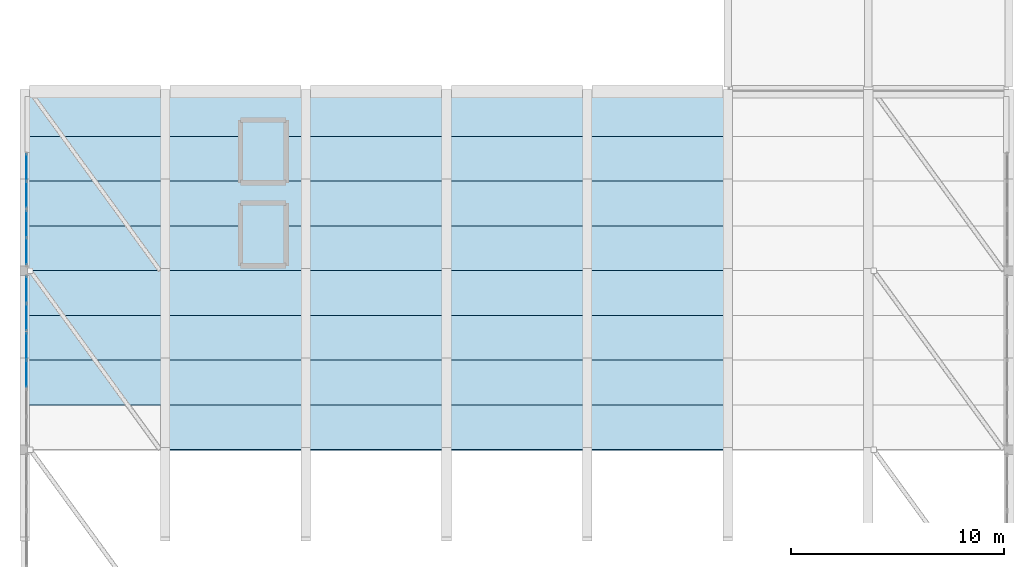
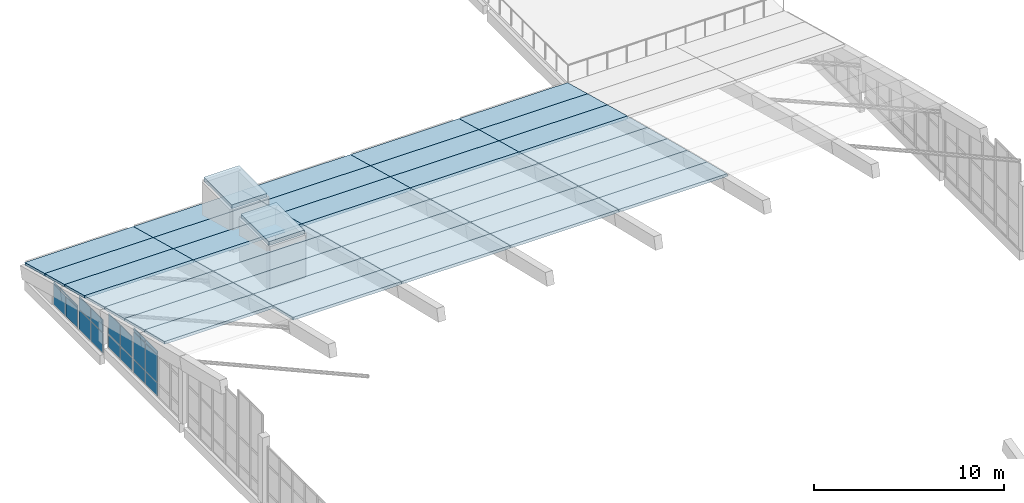
# One storey, part 44 of 78: 41 slabs, 18 plates, 4 elements without a shape of their own.
"""IFC4 building model written with IfcOpenShell, lengths in metres."""

from ifc_helpers import new_model, si_unit, direction, frame, origin, origin_2d, place, context, subcontext, project, spatial, polyline, rectangle, outline, extrude, material, layer, layer_set, type_object, element, aggregate, save


model = new_model("IFC4")

# Units and contexts
model_context = context("Model", 3, precision=1e-05, world=origin(), true_north=direction((0.0, 1.0)))
body_context = subcontext(model_context, "Body", "Model", "MODEL_VIEW")
ifc_project = project(units=[si_unit("LENGTHUNIT", "METRE"), si_unit("AREAUNIT", "SQUARE_METRE"), si_unit("VOLUMEUNIT", "CUBIC_METRE"), si_unit("PLANEANGLEUNIT", "RADIAN"), si_unit("MASSUNIT", "GRAM", prefix="KILO")], contexts=[model_context])

# Site, building, storey
site_placement = place(None, origin())
site = spatial("IfcSite", under=ifc_project, at=site_placement, CompositionType="ELEMENT")
building_placement = place(site_placement, origin())
building = spatial("IfcBuilding", under=site, at=building_placement, Name="Qaldarim Faculty of Natural and Applied Sciences", CompositionType="ELEMENT")
storey_placement = place(building_placement, frame((0.0, 0.0, 18.60009765625)))
storey = spatial("IfcBuildingStorey", under=building, at=storey_placement, Name="L04", CompositionType="ELEMENT", Elevation=18.60009765625)

# Slabs
ifc_material_1 = material(Name="Concrete C40/50", Category="concrete")
ifc_layer_1 = layer(ifc_material_1, 0.239990234375)
ifc_layer_set_1 = layer_set([ifc_layer_1], Name="Concrete C40/50")
slab_type_1 = type_object("IfcSlabType", Name="FlatStructuralRoofSlab-240", PredefinedType="ROOF", material=ifc_layer_set_1)
slab_1_placement = place(storey_placement, frame((0.0, 0.0, 2.5)))
element("IfcSlab", 1, at=slab_1_placement, inside=storey, type_object=slab_type_1, Name="Lift LF-D1 overrun roof cap", PredefinedType="ROOF", context=body_context, shape_type="SweptSolid", body=[
    extrude(outline(polyline([(10.125, 75.824951171875), (12.27490234375, 75.824951171875), (12.27490234375, 78.77490234375), (10.125, 78.77490234375), (10.125, 75.824951171875)])), origin(), (0.0, 0.0, 1.0), 0.239990234375),
])
slab_2_placement = place(storey_placement, frame((0.0, 0.0, 2.5)))
element("IfcSlab", 2, at=slab_2_placement, inside=storey, type_object=slab_type_1, Name="Lift LF-D2 overrun roof cap", PredefinedType="ROOF", context=body_context, shape_type="SweptSolid", body=[
    extrude(outline(polyline([(10.125, 79.72509765625), (12.27490234375, 79.72509765625), (12.27490234375, 82.675048828125), (10.125, 82.675048828125), (10.125, 79.72509765625)])), origin(), (0.0, 0.0, 1.0), 0.239990234375),
])

# Curtain wall, plates
ifc_material_2 = material(Name="Anodised aluminium AW-6063", Category="aluminium")
curtain_wall_type_1 = type_object("IfcCurtainWallType", Name="CurtainWallSystem-M1500", PredefinedType="USERDEFINED", material=ifc_material_2)
curtain_wall_1_placement = place(storey_placement, origin())
curtain_wall_1 = element("IfcCurtainWall", 3, at=curtain_wall_1_placement, inside=storey, type_object=curtain_wall_type_1, Name="Curtain wall CW-GABLE-L04-W-Y10-1", ObjectType="STICK CURTAIN WALL", PredefinedType="USERDEFINED")
ifc_material_3 = material(Name="Champagne anodised aluminium AW-6063", Category="aluminium")
ifc_layer_2 = layer(ifc_material_3, 0.0400390625)
ifc_layer_set_2 = layer_set([ifc_layer_2], Name="Champagne anodised aluminium AW-6063")
plate_type_1 = type_object("IfcPlateType", Name="InsulatedSpandrelPanel-40", PredefinedType="CURTAIN_PANEL", material=ifc_layer_set_2)
plate_1_placement = place(storey_placement, frame((0.080078125, 77.791259765625, -0.919921875), z_axis=(0.0, 0.0, 1.0), x_axis=(0.0, -1.0, 0.0)))
plate_1 = element("IfcPlate", 4, at=plate_1_placement, type_object=plate_type_1, Name="Glazed panel 1-1 of CW-GABLE-L04-W-Y10-1", PredefinedType="CURTAIN_PANEL", context=body_context, shape_type="SweptSolid", body=[
    extrude(rectangle(XDim=1.2275390625, YDim=0.0400390625, at=origin_2d()), origin(), (0.0, 0.0, 1.0), 1.260009765625),
])
plate_2_placement = place(storey_placement, frame((0.080078125, 77.791259765625, 0.39990234375), z_axis=(0.0, 0.0, 1.0), x_axis=(0.0, -1.0, 0.0)))
plate_2 = element("IfcPlate", 5, at=plate_2_placement, type_object=plate_type_1, Name="Glazed panel 1-2 of CW-GABLE-L04-W-Y10-1", PredefinedType="CURTAIN_PANEL", context=body_context, shape_type="SweptSolid", body=[
    extrude(rectangle(XDim=1.2275390625, YDim=0.0400390625, at=origin_2d()), origin(), (0.0, 0.0, 1.0), 0.804931640625),
])
plate_3_placement = place(storey_placement, frame((0.080078125, 76.503662109375, -0.919921875), z_axis=(0.0, 0.0, 1.0), x_axis=(0.0, -1.0, 0.0)))
plate_3 = element("IfcPlate", 6, at=plate_3_placement, type_object=plate_type_1, Name="Glazed panel 2-1 of CW-GABLE-L04-W-Y10-1", PredefinedType="CURTAIN_PANEL", context=body_context, shape_type="SweptSolid", body=[
    extrude(rectangle(XDim=1.2275390625, YDim=0.0400390625, at=origin_2d()), origin(), (0.0, 0.0, 1.0), 1.260009765625),
])
plate_4_placement = place(storey_placement, frame((0.080078125, 76.503662109375, 0.39990234375), z_axis=(0.0, 0.0, 1.0), x_axis=(0.0, -1.0, 0.0)))
plate_4 = element("IfcPlate", 7, at=plate_4_placement, type_object=plate_type_1, Name="Glazed panel 2-2 of CW-GABLE-L04-W-Y10-1", PredefinedType="CURTAIN_PANEL", context=body_context, shape_type="SweptSolid", body=[
    extrude(rectangle(XDim=1.2275390625, YDim=0.0400390625, at=origin_2d()), origin(), (0.0, 0.0, 1.0), 0.804931640625),
])
aggregate(curtain_wall_1, [plate_1, plate_2, plate_3, plate_4])

curtain_wall_2_placement = place(storey_placement, origin())
curtain_wall_2 = element("IfcCurtainWall", 8, at=curtain_wall_2_placement, inside=storey, type_object=curtain_wall_type_1, Name="Curtain wall CW-GABLE-L04-W-Y10-2", ObjectType="STICK CURTAIN WALL", PredefinedType="USERDEFINED")
plate_5_placement = place(storey_placement, frame((0.080078125, 80.4462890625, -0.919921875), z_axis=(0.0, 0.0, 1.0), x_axis=(0.0, -1.0, 0.0)))
plate_5 = element("IfcPlate", 9, at=plate_5_placement, type_object=plate_type_1, Name="Glazed panel 1-1 of CW-GABLE-L04-W-Y10-2", PredefinedType="CURTAIN_PANEL", context=body_context, shape_type="SweptSolid", body=[
    extrude(rectangle(XDim=1.2275390625, YDim=0.0400390625, at=origin_2d()), origin(), (0.0, 0.0, 1.0), 1.260009765625),
])
plate_6_placement = place(storey_placement, frame((0.080078125, 80.4462890625, 0.39990234375), z_axis=(0.0, 0.0, 1.0), x_axis=(0.0, -1.0, 0.0)))
plate_6 = element("IfcPlate", 10, at=plate_6_placement, type_object=plate_type_1, Name="Glazed panel 1-2 of CW-GABLE-L04-W-Y10-2", PredefinedType="CURTAIN_PANEL", context=body_context, shape_type="SweptSolid", body=[
    extrude(rectangle(XDim=1.2275390625, YDim=0.0400390625, at=origin_2d()), origin(), (0.0, 0.0, 1.0), 0.114990234375),
])
plate_7_placement = place(storey_placement, frame((0.080078125, 79.15869140625, -0.919921875), z_axis=(0.0, 0.0, 1.0), x_axis=(0.0, -1.0, 0.0)))
plate_7 = element("IfcPlate", 11, at=plate_7_placement, type_object=plate_type_1, Name="Glazed panel 2-1 of CW-GABLE-L04-W-Y10-2", PredefinedType="CURTAIN_PANEL", context=body_context, shape_type="SweptSolid", body=[
    extrude(rectangle(XDim=1.2275390625, YDim=0.0400390625, at=origin_2d()), origin(), (0.0, 0.0, 1.0), 1.260009765625),
])
plate_8_placement = place(storey_placement, frame((0.080078125, 79.15869140625, 0.39990234375), z_axis=(0.0, 0.0, 1.0), x_axis=(0.0, -1.0, 0.0)))
plate_8 = element("IfcPlate", 12, at=plate_8_placement, type_object=plate_type_1, Name="Glazed panel 2-2 of CW-GABLE-L04-W-Y10-2", PredefinedType="CURTAIN_PANEL", context=body_context, shape_type="SweptSolid", body=[
    extrude(rectangle(XDim=1.2275390625, YDim=0.0400390625, at=origin_2d()), origin(), (0.0, 0.0, 1.0), 0.114990234375),
])
aggregate(curtain_wall_2, [plate_5, plate_6, plate_7, plate_8])

# Slabs
ifc_layer_3 = layer(ifc_material_1, 0.159912109375)
ifc_layer_set_3 = layer_set([ifc_layer_3], Name="Concrete C40/50")
slab_type_2 = type_object("IfcSlabType", Name="PointedArchShellStrip-160", PredefinedType="ROOF", material=ifc_layer_set_3)
slab_3_placement = place(storey_placement, frame((0.0, 69.26123046875, 3.669677734375), z_axis=(0.0, 0.242615241987, 0.970122592436), x_axis=(1.0, 0.0, 0.0)))
element("IfcSlab", 13, at=slab_3_placement, inside=storey, type_object=slab_type_2, Name="Pointed-arch shell strip B01-N10", PredefinedType="ROOF", context=body_context, shape_type="SweptSolid", body=[
    extrude(outline(polyline([(0.0, 0.0), (6.60009765625, 0.0), (6.60009765625, 2.1645238777001503), (0.0, 2.1645238777001503), (0.0, 0.0)])), origin(), (0.0, 0.0, 1.0), 0.159912109375),
])
slab_4_placement = place(storey_placement, frame((0.0, 71.3603515625, 3.144775390625), z_axis=(0.0, 0.246827397745, 0.969059459333), x_axis=(1.0, 0.0, 0.0)))
element("IfcSlab", 14, at=slab_4_placement, inside=storey, type_object=slab_type_2, Name="Pointed-arch shell strip B01-N11", PredefinedType="ROOF", context=body_context, shape_type="SweptSolid", body=[
    extrude(outline(polyline([(0.0, 0.0), (6.60009765625, 0.0), (6.60009765625, 2.167150463291083), (0.0, 2.167150463291083), (0.0, 0.0)])), origin(), (0.0, 0.0, 1.0), 0.159912109375),
])
slab_5_placement = place(storey_placement, frame((0.0, 73.460205078125, 2.60986328125), z_axis=(0.0, 0.249047074443, 0.968491380814), x_axis=(1.0, 0.0, 0.0)))
element("IfcSlab", 15, at=slab_5_placement, inside=storey, type_object=slab_type_2, Name="Pointed-arch shell strip B01-N12", PredefinedType="ROOF", context=body_context, shape_type="SweptSolid", body=[
    extrude(outline(polyline([(0.0, 0.0), (6.60009765625, 0.0), (6.60009765625, 2.168421627546779), (0.0, 2.168421627546779), (0.0, 0.0)])), origin(), (0.0, 0.0, 1.0), 0.159912109375),
])
slab_6_placement = place(storey_placement, frame((0.0, 75.559814453125, 2.070068359375), z_axis=(0.0, 0.251184769049, 0.967939157074), x_axis=(1.0, 0.0, 0.0)))
element("IfcSlab", 16, at=slab_6_placement, inside=storey, type_object=slab_type_2, Name="Pointed-arch shell strip B01-N13", PredefinedType="ROOF", context=body_context, shape_type="SweptSolid", body=[
    extrude(outline(polyline([(0.0, 0.0), (6.60009765625, 0.0), (6.60009765625, 2.169406517215293), (0.0, 2.169406517215293), (0.0, 0.0)])), origin(), (0.0, 0.0, 1.0), 0.159912109375),
])
slab_7_placement = place(storey_placement, frame((0.0, 77.6591796875, 1.525146484375), z_axis=(0.0, 0.255472397462, 0.966816349745), x_axis=(1.0, 0.0, 0.0)))
element("IfcSlab", 17, at=slab_7_placement, inside=storey, type_object=slab_type_2, Name="Pointed-arch shell strip B01-N14", PredefinedType="ROOF", context=body_context, shape_type="SweptSolid", body=[
    extrude(outline(polyline([(0.0, 0.0), (6.60009765625, 0.0), (6.60009765625, 2.1721784667824826), (0.0, 2.1721784667824826), (0.0, 0.0)])), origin(), (0.0, 0.0, 1.0), 0.159912109375),
])
slab_8_placement = place(storey_placement, frame((0.0, 79.7587890625, 0.970458984375), z_axis=(0.0, 0.257704602468, 0.96622375145), x_axis=(1.0, 0.0, 0.0)))
element("IfcSlab", 18, at=slab_8_placement, inside=storey, type_object=slab_type_2, Name="Pointed-arch shell strip B01-N15", PredefinedType="ROOF", context=body_context, shape_type="SweptSolid", body=[
    extrude(outline(polyline([(0.0, 0.0), (6.60009765625, 0.0), (6.60009765625, 2.1732580186245487), (0.0, 2.1732580186245487), (0.0, 0.0)])), origin(), (0.0, 0.0, 1.0), 0.159912109375),
])
slab_9_placement = place(storey_placement, frame((0.0, 81.8583984375, 0.410400390625), z_axis=(0.0, 0.259772172044, 0.96566993255), x_axis=(1.0, 0.0, 0.0)))
element("IfcSlab", 19, at=slab_9_placement, inside=storey, type_object=slab_type_2, Name="Pointed-arch shell strip B01-N16", PredefinedType="ROOF", context=body_context, shape_type="SweptSolid", body=[
    extrude(outline(polyline([(0.0, 0.0), (6.60009765625, 0.0), (6.60009765625, 2.1747572182389625), (0.0, 2.1747572182389625), (0.0, 0.0)])), origin(), (0.0, 0.0, 1.0), 0.159912109375),
])
slab_10_placement = place(storey_placement, frame((6.60009765625, 67.161865234375, 4.184326171875), z_axis=(0.0, 0.238123063783, 0.971234990357), x_axis=(1.0, 0.0, 0.0)))
element("IfcSlab", 20, at=slab_10_placement, inside=storey, type_object=slab_type_2, Name="Pointed-arch shell strip B02-N09", PredefinedType="ROOF", context=body_context, shape_type="SweptSolid", body=[
    extrude(outline(polyline([(0.0, 0.0), (6.599853515625, 0.0), (6.599853515625, 2.162296125139883), (0.0, 2.162296125139883), (0.0, 0.0)])), origin(), (0.0, 0.0, 1.0), 0.159912109375),
])
slab_11_placement = place(storey_placement, frame((6.60009765625, 69.26123046875, 3.669677734375), z_axis=(0.0, 0.242615241987, 0.970122592436), x_axis=(1.0, 0.0, 0.0)))
element("IfcSlab", 21, at=slab_11_placement, inside=storey, type_object=slab_type_2, Name="Pointed-arch shell strip B02-N10", PredefinedType="ROOF", context=body_context, shape_type="SweptSolid", body=[
    extrude(outline(polyline([(0.0, 0.0), (6.599853515625, 0.0), (6.599853515625, 2.1645238777001503), (0.0, 2.1645238777001503), (0.0, 0.0)])), origin(), (0.0, 0.0, 1.0), 0.159912109375),
])
slab_12_placement = place(storey_placement, frame((6.60009765625, 71.3603515625, 3.144775390625), z_axis=(0.0, 0.246827397745, 0.969059459333), x_axis=(1.0, 0.0, 0.0)))
element("IfcSlab", 22, at=slab_12_placement, inside=storey, type_object=slab_type_2, Name="Pointed-arch shell strip B02-N11", PredefinedType="ROOF", context=body_context, shape_type="SweptSolid", body=[
    extrude(outline(polyline([(0.0, 0.0), (6.599853515625, 0.0), (6.599853515625, 2.167150463291083), (0.0, 2.167150463291083), (0.0, 0.0)])), origin(), (0.0, 0.0, 1.0), 0.159912109375),
])
slab_13_placement = place(storey_placement, frame((6.60009765625, 73.460205078125, 2.60986328125), z_axis=(0.0, 0.249047074443, 0.968491380814), x_axis=(1.0, 0.0, 0.0)))
element("IfcSlab", 23, at=slab_13_placement, inside=storey, type_object=slab_type_2, Name="Pointed-arch shell strip B02-N12", PredefinedType="ROOF", context=body_context, shape_type="SweptSolid", body=[
    extrude(outline(polyline([(0.0, 0.0), (6.599853515625, 0.0), (6.599853515625, 2.168421627546779), (0.0, 2.168421627546779), (0.0, 0.0)])), origin(), (0.0, 0.0, 1.0), 0.159912109375),
])
slab_14_placement = place(storey_placement, frame((6.60009765625, 75.559814453125, 2.070068359375), z_axis=(0.0, 0.251184769049, 0.967939157074), x_axis=(1.0, 0.0, 0.0)))
element("IfcSlab", 24, at=slab_14_placement, inside=storey, type_object=slab_type_2, Name="Pointed-arch shell strip B02-N13", PredefinedType="ROOF", context=body_context, shape_type="SweptSolid", body=[
    extrude(outline(polyline([(0.0, 0.0), (6.599853515625, 0.0), (6.599853515625, 2.169406517215293), (0.0, 2.169406517215293), (0.0, 0.0)])), origin(), (0.0, 0.0, 1.0), 0.159912109375),
])
slab_15_placement = place(storey_placement, frame((6.60009765625, 77.6591796875, 1.525146484375), z_axis=(0.0, 0.255472397462, 0.966816349745), x_axis=(1.0, 0.0, 0.0)))
element("IfcSlab", 25, at=slab_15_placement, inside=storey, type_object=slab_type_2, Name="Pointed-arch shell strip B02-N14", PredefinedType="ROOF", context=body_context, shape_type="SweptSolid", body=[
    extrude(outline(polyline([(0.0, 0.0), (6.599853515625, 0.0), (6.599853515625, 2.1721784667824826), (0.0, 2.1721784667824826), (0.0, 0.0)])), origin(), (0.0, 0.0, 1.0), 0.159912109375),
])
slab_16_placement = place(storey_placement, frame((6.60009765625, 79.7587890625, 0.970458984375), z_axis=(0.0, 0.257704602468, 0.96622375145), x_axis=(1.0, 0.0, 0.0)))
element("IfcSlab", 26, at=slab_16_placement, inside=storey, type_object=slab_type_2, Name="Pointed-arch shell strip B02-N15", PredefinedType="ROOF", context=body_context, shape_type="SweptSolid", body=[
    extrude(outline(polyline([(0.0, 0.0), (6.599853515625, 0.0), (6.599853515625, 2.1732580186245487), (0.0, 2.1732580186245487), (0.0, 0.0)])), origin(), (0.0, 0.0, 1.0), 0.159912109375),
])
slab_17_placement = place(storey_placement, frame((6.60009765625, 81.8583984375, 0.410400390625), z_axis=(0.0, 0.259772172044, 0.96566993255), x_axis=(1.0, 0.0, 0.0)))
element("IfcSlab", 27, at=slab_17_placement, inside=storey, type_object=slab_type_2, Name="Pointed-arch shell strip B02-N16", PredefinedType="ROOF", context=body_context, shape_type="SweptSolid", body=[
    extrude(outline(polyline([(0.0, 0.0), (6.599853515625, 0.0), (6.599853515625, 2.1747572182389625), (0.0, 2.1747572182389625), (0.0, 0.0)])), origin(), (0.0, 0.0, 1.0), 0.159912109375),
])
slab_18_placement = place(storey_placement, frame((13.199951171875, 67.161865234375, 4.184326171875), z_axis=(0.0, 0.238123063783, 0.971234990357), x_axis=(1.0, 0.0, 0.0)))
element("IfcSlab", 28, at=slab_18_placement, inside=storey, type_object=slab_type_2, Name="Pointed-arch shell strip B03-N09", PredefinedType="ROOF", context=body_context, shape_type="SweptSolid", body=[
    extrude(outline(polyline([(0.0, 0.0), (6.60009765625, 0.0), (6.60009765625, 2.162296125139883), (0.0, 2.162296125139883), (0.0, 0.0)])), origin(), (0.0, 0.0, 1.0), 0.159912109375),
])
slab_19_placement = place(storey_placement, frame((13.199951171875, 69.26123046875, 3.669677734375), z_axis=(0.0, 0.242615241987, 0.970122592436), x_axis=(1.0, 0.0, 0.0)))
element("IfcSlab", 29, at=slab_19_placement, inside=storey, type_object=slab_type_2, Name="Pointed-arch shell strip B03-N10", PredefinedType="ROOF", context=body_context, shape_type="SweptSolid", body=[
    extrude(outline(polyline([(0.0, 0.0), (6.60009765625, 0.0), (6.60009765625, 2.1645238777001503), (0.0, 2.1645238777001503), (0.0, 0.0)])), origin(), (0.0, 0.0, 1.0), 0.159912109375),
])
slab_20_placement = place(storey_placement, frame((13.199951171875, 71.3603515625, 3.144775390625), z_axis=(0.0, 0.246827397745, 0.969059459333), x_axis=(1.0, 0.0, 0.0)))
element("IfcSlab", 30, at=slab_20_placement, inside=storey, type_object=slab_type_2, Name="Pointed-arch shell strip B03-N11", PredefinedType="ROOF", context=body_context, shape_type="SweptSolid", body=[
    extrude(outline(polyline([(0.0, 0.0), (6.60009765625, 0.0), (6.60009765625, 2.167150463291083), (0.0, 2.167150463291083), (0.0, 0.0)])), origin(), (0.0, 0.0, 1.0), 0.159912109375),
])
slab_21_placement = place(storey_placement, frame((13.199951171875, 73.460205078125, 2.60986328125), z_axis=(0.0, 0.249047074443, 0.968491380814), x_axis=(1.0, 0.0, 0.0)))
element("IfcSlab", 31, at=slab_21_placement, inside=storey, type_object=slab_type_2, Name="Pointed-arch shell strip B03-N12", PredefinedType="ROOF", context=body_context, shape_type="SweptSolid", body=[
    extrude(outline(polyline([(0.0, 0.0), (6.60009765625, 0.0), (6.60009765625, 2.168421627546779), (0.0, 2.168421627546779), (0.0, 0.0)])), origin(), (0.0, 0.0, 1.0), 0.159912109375),
])
slab_22_placement = place(storey_placement, frame((13.199951171875, 75.559814453125, 2.070068359375), z_axis=(0.0, 0.251184769049, 0.967939157074), x_axis=(1.0, 0.0, 0.0)))
element("IfcSlab", 32, at=slab_22_placement, inside=storey, type_object=slab_type_2, Name="Pointed-arch shell strip B03-N13", PredefinedType="ROOF", context=body_context, shape_type="SweptSolid", body=[
    extrude(outline(polyline([(0.0, 0.0), (6.60009765625, 0.0), (6.60009765625, 2.169406517215293), (0.0, 2.169406517215293), (0.0, 0.0)])), origin(), (0.0, 0.0, 1.0), 0.159912109375),
])
slab_23_placement = place(storey_placement, frame((13.199951171875, 77.6591796875, 1.525146484375), z_axis=(0.0, 0.255472397462, 0.966816349745), x_axis=(1.0, 0.0, 0.0)))
element("IfcSlab", 33, at=slab_23_placement, inside=storey, type_object=slab_type_2, Name="Pointed-arch shell strip B03-N14", PredefinedType="ROOF", context=body_context, shape_type="SweptSolid", body=[
    extrude(outline(polyline([(0.0, 0.0), (6.60009765625, 0.0), (6.60009765625, 2.1721784667824826), (0.0, 2.1721784667824826), (0.0, 0.0)])), origin(), (0.0, 0.0, 1.0), 0.159912109375),
])
slab_24_placement = place(storey_placement, frame((13.199951171875, 79.7587890625, 0.970458984375), z_axis=(0.0, 0.257704602468, 0.96622375145), x_axis=(1.0, 0.0, 0.0)))
element("IfcSlab", 34, at=slab_24_placement, inside=storey, type_object=slab_type_2, Name="Pointed-arch shell strip B03-N15", PredefinedType="ROOF", context=body_context, shape_type="SweptSolid", body=[
    extrude(outline(polyline([(0.0, 0.0), (6.60009765625, 0.0), (6.60009765625, 2.1732580186245487), (0.0, 2.1732580186245487), (0.0, 0.0)])), origin(), (0.0, 0.0, 1.0), 0.159912109375),
])
slab_25_placement = place(storey_placement, frame((13.199951171875, 81.8583984375, 0.410400390625), z_axis=(0.0, 0.259772172044, 0.96566993255), x_axis=(1.0, 0.0, 0.0)))
element("IfcSlab", 35, at=slab_25_placement, inside=storey, type_object=slab_type_2, Name="Pointed-arch shell strip B03-N16", PredefinedType="ROOF", context=body_context, shape_type="SweptSolid", body=[
    extrude(outline(polyline([(0.0, 0.0), (6.60009765625, 0.0), (6.60009765625, 2.1747572182389625), (0.0, 2.1747572182389625), (0.0, 0.0)])), origin(), (0.0, 0.0, 1.0), 0.159912109375),
])
slab_26_placement = place(storey_placement, frame((19.800048828125, 67.161865234375, 4.184326171875), z_axis=(0.0, 0.238123063783, 0.971234990357), x_axis=(1.0, 0.0, 0.0)))
element("IfcSlab", 36, at=slab_26_placement, inside=storey, type_object=slab_type_2, Name="Pointed-arch shell strip B04-N09", PredefinedType="ROOF", context=body_context, shape_type="SweptSolid", body=[
    extrude(outline(polyline([(0.0, 0.0), (6.599853515625, 0.0), (6.599853515625, 2.162296125139883), (0.0, 2.162296125139883), (0.0, 0.0)])), origin(), (0.0, 0.0, 1.0), 0.159912109375),
])
slab_27_placement = place(storey_placement, frame((19.800048828125, 69.26123046875, 3.669677734375), z_axis=(0.0, 0.242615241987, 0.970122592436), x_axis=(1.0, 0.0, 0.0)))
element("IfcSlab", 37, at=slab_27_placement, inside=storey, type_object=slab_type_2, Name="Pointed-arch shell strip B04-N10", PredefinedType="ROOF", context=body_context, shape_type="SweptSolid", body=[
    extrude(outline(polyline([(0.0, 0.0), (6.599853515625, 0.0), (6.599853515625, 2.1645238777001503), (0.0, 2.1645238777001503), (0.0, 0.0)])), origin(), (0.0, 0.0, 1.0), 0.159912109375),
])
slab_28_placement = place(storey_placement, frame((19.800048828125, 71.3603515625, 3.144775390625), z_axis=(0.0, 0.246827397745, 0.969059459333), x_axis=(1.0, 0.0, 0.0)))
element("IfcSlab", 38, at=slab_28_placement, inside=storey, type_object=slab_type_2, Name="Pointed-arch shell strip B04-N11", PredefinedType="ROOF", context=body_context, shape_type="SweptSolid", body=[
    extrude(outline(polyline([(0.0, 0.0), (6.599853515625, 0.0), (6.599853515625, 2.167150463291083), (0.0, 2.167150463291083), (0.0, 0.0)])), origin(), (0.0, 0.0, 1.0), 0.159912109375),
])
slab_29_placement = place(storey_placement, frame((19.800048828125, 73.460205078125, 2.60986328125), z_axis=(0.0, 0.249047074443, 0.968491380814), x_axis=(1.0, 0.0, 0.0)))
element("IfcSlab", 39, at=slab_29_placement, inside=storey, type_object=slab_type_2, Name="Pointed-arch shell strip B04-N12", PredefinedType="ROOF", context=body_context, shape_type="SweptSolid", body=[
    extrude(outline(polyline([(0.0, 0.0), (6.599853515625, 0.0), (6.599853515625, 2.168421627546779), (0.0, 2.168421627546779), (0.0, 0.0)])), origin(), (0.0, 0.0, 1.0), 0.159912109375),
])
slab_30_placement = place(storey_placement, frame((19.800048828125, 75.559814453125, 2.070068359375), z_axis=(0.0, 0.251184769049, 0.967939157074), x_axis=(1.0, 0.0, 0.0)))
element("IfcSlab", 40, at=slab_30_placement, inside=storey, type_object=slab_type_2, Name="Pointed-arch shell strip B04-N13", PredefinedType="ROOF", context=body_context, shape_type="SweptSolid", body=[
    extrude(outline(polyline([(0.0, 0.0), (6.599853515625, 0.0), (6.599853515625, 2.169406517215293), (0.0, 2.169406517215293), (0.0, 0.0)])), origin(), (0.0, 0.0, 1.0), 0.159912109375),
])
slab_31_placement = place(storey_placement, frame((19.800048828125, 77.6591796875, 1.525146484375), z_axis=(0.0, 0.255472397462, 0.966816349745), x_axis=(1.0, 0.0, 0.0)))
element("IfcSlab", 41, at=slab_31_placement, inside=storey, type_object=slab_type_2, Name="Pointed-arch shell strip B04-N14", PredefinedType="ROOF", context=body_context, shape_type="SweptSolid", body=[
    extrude(outline(polyline([(0.0, 0.0), (6.599853515625, 0.0), (6.599853515625, 2.1721784667824826), (0.0, 2.1721784667824826), (0.0, 0.0)])), origin(), (0.0, 0.0, 1.0), 0.159912109375),
])
slab_32_placement = place(storey_placement, frame((19.800048828125, 79.7587890625, 0.970458984375), z_axis=(0.0, 0.257704602468, 0.96622375145), x_axis=(1.0, 0.0, 0.0)))
element("IfcSlab", 42, at=slab_32_placement, inside=storey, type_object=slab_type_2, Name="Pointed-arch shell strip B04-N15", PredefinedType="ROOF", context=body_context, shape_type="SweptSolid", body=[
    extrude(outline(polyline([(0.0, 0.0), (6.599853515625, 0.0), (6.599853515625, 2.1732580186245487), (0.0, 2.1732580186245487), (0.0, 0.0)])), origin(), (0.0, 0.0, 1.0), 0.159912109375),
])
slab_33_placement = place(storey_placement, frame((19.800048828125, 81.8583984375, 0.410400390625), z_axis=(0.0, 0.259772172044, 0.96566993255), x_axis=(1.0, 0.0, 0.0)))
element("IfcSlab", 43, at=slab_33_placement, inside=storey, type_object=slab_type_2, Name="Pointed-arch shell strip B04-N16", PredefinedType="ROOF", context=body_context, shape_type="SweptSolid", body=[
    extrude(outline(polyline([(0.0, 0.0), (6.599853515625, 0.0), (6.599853515625, 2.1747572182389625), (0.0, 2.1747572182389625), (0.0, 0.0)])), origin(), (0.0, 0.0, 1.0), 0.159912109375),
])
slab_34_placement = place(storey_placement, frame((26.39990234375, 67.161865234375, 4.184326171875), z_axis=(0.0, 0.238123063783, 0.971234990357), x_axis=(1.0, 0.0, 0.0)))
element("IfcSlab", 44, at=slab_34_placement, inside=storey, type_object=slab_type_2, Name="Pointed-arch shell strip B05-N09", PredefinedType="ROOF", context=body_context, shape_type="SweptSolid", body=[
    extrude(outline(polyline([(0.0, 0.0), (6.60009765625, 0.0), (6.60009765625, 2.162296125139883), (0.0, 2.162296125139883), (0.0, 0.0)])), origin(), (0.0, 0.0, 1.0), 0.159912109375),
])
slab_35_placement = place(storey_placement, frame((26.39990234375, 69.26123046875, 3.669677734375), z_axis=(0.0, 0.242615241987, 0.970122592436), x_axis=(1.0, 0.0, 0.0)))
element("IfcSlab", 45, at=slab_35_placement, inside=storey, type_object=slab_type_2, Name="Pointed-arch shell strip B05-N10", PredefinedType="ROOF", context=body_context, shape_type="SweptSolid", body=[
    extrude(outline(polyline([(0.0, 0.0), (6.60009765625, 0.0), (6.60009765625, 2.1645238777001503), (0.0, 2.1645238777001503), (0.0, 0.0)])), origin(), (0.0, 0.0, 1.0), 0.159912109375),
])
slab_36_placement = place(storey_placement, frame((26.39990234375, 71.3603515625, 3.144775390625), z_axis=(0.0, 0.246827397745, 0.969059459333), x_axis=(1.0, 0.0, 0.0)))
element("IfcSlab", 46, at=slab_36_placement, inside=storey, type_object=slab_type_2, Name="Pointed-arch shell strip B05-N11", PredefinedType="ROOF", context=body_context, shape_type="SweptSolid", body=[
    extrude(outline(polyline([(0.0, 0.0), (6.60009765625, 0.0), (6.60009765625, 2.167150463291083), (0.0, 2.167150463291083), (0.0, 0.0)])), origin(), (0.0, 0.0, 1.0), 0.159912109375),
])
slab_37_placement = place(storey_placement, frame((26.39990234375, 73.460205078125, 2.60986328125), z_axis=(0.0, 0.249047074443, 0.968491380814), x_axis=(1.0, 0.0, 0.0)))
element("IfcSlab", 47, at=slab_37_placement, inside=storey, type_object=slab_type_2, Name="Pointed-arch shell strip B05-N12", PredefinedType="ROOF", context=body_context, shape_type="SweptSolid", body=[
    extrude(outline(polyline([(0.0, 0.0), (6.60009765625, 0.0), (6.60009765625, 2.168421627546779), (0.0, 2.168421627546779), (0.0, 0.0)])), origin(), (0.0, 0.0, 1.0), 0.159912109375),
])
slab_38_placement = place(storey_placement, frame((26.39990234375, 75.559814453125, 2.070068359375), z_axis=(0.0, 0.251184769049, 0.967939157074), x_axis=(1.0, 0.0, 0.0)))
element("IfcSlab", 48, at=slab_38_placement, inside=storey, type_object=slab_type_2, Name="Pointed-arch shell strip B05-N13", PredefinedType="ROOF", context=body_context, shape_type="SweptSolid", body=[
    extrude(outline(polyline([(0.0, 0.0), (6.60009765625, 0.0), (6.60009765625, 2.169406517215293), (0.0, 2.169406517215293), (0.0, 0.0)])), origin(), (0.0, 0.0, 1.0), 0.159912109375),
])
slab_39_placement = place(storey_placement, frame((26.39990234375, 77.6591796875, 1.525146484375), z_axis=(0.0, 0.255472397462, 0.966816349745), x_axis=(1.0, 0.0, 0.0)))
element("IfcSlab", 49, at=slab_39_placement, inside=storey, type_object=slab_type_2, Name="Pointed-arch shell strip B05-N14", PredefinedType="ROOF", context=body_context, shape_type="SweptSolid", body=[
    extrude(outline(polyline([(0.0, 0.0), (6.60009765625, 0.0), (6.60009765625, 2.1721784667824826), (0.0, 2.1721784667824826), (0.0, 0.0)])), origin(), (0.0, 0.0, 1.0), 0.159912109375),
])
slab_40_placement = place(storey_placement, frame((26.39990234375, 79.7587890625, 0.970458984375), z_axis=(0.0, 0.257704602468, 0.96622375145), x_axis=(1.0, 0.0, 0.0)))
element("IfcSlab", 50, at=slab_40_placement, inside=storey, type_object=slab_type_2, Name="Pointed-arch shell strip B05-N15", PredefinedType="ROOF", context=body_context, shape_type="SweptSolid", body=[
    extrude(outline(polyline([(0.0, 0.0), (6.60009765625, 0.0), (6.60009765625, 2.1732580186245487), (0.0, 2.1732580186245487), (0.0, 0.0)])), origin(), (0.0, 0.0, 1.0), 0.159912109375),
])
slab_41_placement = place(storey_placement, frame((26.39990234375, 81.8583984375, 0.410400390625), z_axis=(0.0, 0.259772172044, 0.96566993255), x_axis=(1.0, 0.0, 0.0)))
element("IfcSlab", 51, at=slab_41_placement, inside=storey, type_object=slab_type_2, Name="Pointed-arch shell strip B05-N16", PredefinedType="ROOF", context=body_context, shape_type="SweptSolid", body=[
    extrude(outline(polyline([(0.0, 0.0), (6.60009765625, 0.0), (6.60009765625, 2.1747572182389625), (0.0, 2.1747572182389625), (0.0, 0.0)])), origin(), (0.0, 0.0, 1.0), 0.159912109375),
])

# Curtain wall, plates
curtain_wall_type_2 = type_object("IfcCurtainWallType", Name="CurtainWallSystem-M1300", PredefinedType="USERDEFINED", material=ifc_material_2)
curtain_wall_3_placement = place(storey_placement, origin())
curtain_wall_3 = element("IfcCurtainWall", 52, at=curtain_wall_3_placement, inside=storey, type_object=curtain_wall_type_2, Name="Curtain wall CW-GABLE-L04-W-Y09-2", ObjectType="STICK CURTAIN WALL", PredefinedType="USERDEFINED")
ifc_material_4 = material(Name="Insulated low-e double glazing", Category="glass")
ifc_layer_4 = layer(ifc_material_4, 0.028076171875)
ifc_layer_set_4 = layer_set([ifc_layer_4], Name="Insulated low-e double glazing")
plate_type_2 = type_object("IfcPlateType", Name="VisionGlazingPanel-28", PredefinedType="CURTAIN_PANEL", material=ifc_layer_set_4)
plate_9_placement = place(storey_placement, frame((0.080078125, 72.04638671875, -0.2001953125), z_axis=(0.0, 0.0, 1.0), x_axis=(0.0, -1.0, 0.0)))
plate_9 = element("IfcPlate", 53, at=plate_9_placement, type_object=plate_type_2, Name="Glazed panel 1-1 of CW-GABLE-L04-W-Y09-2", PredefinedType="CURTAIN_PANEL", context=body_context, shape_type="SweptSolid", body=[
    extrude(rectangle(XDim=1.2275390625, YDim=0.028076171875, at=origin_2d()), origin(), (0.0, 0.0, 1.0), 0.81005859375),
])
plate_10_placement = place(storey_placement, frame((0.080078125, 72.04638671875, 0.669921875), z_axis=(0.0, 0.0, 1.0), x_axis=(0.0, -1.0, 0.0)))
plate_10 = element("IfcPlate", 54, at=plate_10_placement, type_object=plate_type_2, Name="Glazed panel 1-2 of CW-GABLE-L04-W-Y09-2", PredefinedType="CURTAIN_PANEL", context=body_context, shape_type="SweptSolid", body=[
    extrude(rectangle(XDim=1.2275390625, YDim=0.028076171875, at=origin_2d()), origin(), (0.0, 0.0, 1.0), 1.739990234375),
])
plate_11_placement = place(storey_placement, frame((0.080078125, 72.04638671875, 2.4697265625), z_axis=(0.0, 0.0, 1.0), x_axis=(0.0, -1.0, 0.0)))
plate_11 = element("IfcPlate", 55, at=plate_11_placement, type_object=plate_type_2, Name="Glazed panel 1-3 of CW-GABLE-L04-W-Y09-2", PredefinedType="CURTAIN_PANEL", context=body_context, shape_type="SweptSolid", body=[
    extrude(rectangle(XDim=1.2275390625, YDim=0.028076171875, at=origin_2d()), origin(), (0.0, 0.0, 1.0), 0.199951171875),
])
plate_12_placement = place(storey_placement, frame((0.080078125, 70.7587890625, -0.2001953125), z_axis=(0.0, 0.0, 1.0), x_axis=(0.0, -1.0, 0.0)))
plate_12 = element("IfcPlate", 56, at=plate_12_placement, type_object=plate_type_2, Name="Glazed panel 2-1 of CW-GABLE-L04-W-Y09-2", PredefinedType="CURTAIN_PANEL", context=body_context, shape_type="SweptSolid", body=[
    extrude(rectangle(XDim=1.2275390625, YDim=0.028076171875, at=origin_2d()), origin(), (0.0, 0.0, 1.0), 0.81005859375),
])
plate_13_placement = place(storey_placement, frame((0.080078125, 70.7587890625, 0.669921875), z_axis=(0.0, 0.0, 1.0), x_axis=(0.0, -1.0, 0.0)))
plate_13 = element("IfcPlate", 57, at=plate_13_placement, type_object=plate_type_2, Name="Glazed panel 2-2 of CW-GABLE-L04-W-Y09-2", PredefinedType="CURTAIN_PANEL", context=body_context, shape_type="SweptSolid", body=[
    extrude(rectangle(XDim=1.2275390625, YDim=0.028076171875, at=origin_2d()), origin(), (0.0, 0.0, 1.0), 1.739990234375),
])
plate_14_placement = place(storey_placement, frame((0.080078125, 70.7587890625, 2.4697265625), z_axis=(0.0, 0.0, 1.0), x_axis=(0.0, -1.0, 0.0)))
plate_14 = element("IfcPlate", 58, at=plate_14_placement, type_object=plate_type_2, Name="Glazed panel 2-3 of CW-GABLE-L04-W-Y09-2", PredefinedType="CURTAIN_PANEL", context=body_context, shape_type="SweptSolid", body=[
    extrude(rectangle(XDim=1.2275390625, YDim=0.028076171875, at=origin_2d()), origin(), (0.0, 0.0, 1.0), 0.199951171875),
])
aggregate(curtain_wall_3, [plate_9, plate_10, plate_11, plate_12, plate_13, plate_14])

curtain_wall_4_placement = place(storey_placement, origin())
curtain_wall_4 = element("IfcCurtainWall", 59, at=curtain_wall_4_placement, inside=storey, type_object=curtain_wall_type_2, Name="Curtain wall CW-GABLE-L04-W-Y09-3", ObjectType="STICK CURTAIN WALL", PredefinedType="USERDEFINED")
plate_15_placement = place(storey_placement, frame((0.080078125, 74.6962890625, -0.2001953125), z_axis=(0.0, 0.0, 1.0), x_axis=(0.0, -1.0, 0.0)))
plate_15 = element("IfcPlate", 60, at=plate_15_placement, type_object=plate_type_2, Name="Glazed panel 1-1 of CW-GABLE-L04-W-Y09-3", PredefinedType="CURTAIN_PANEL", context=body_context, shape_type="SweptSolid", body=[
    extrude(rectangle(XDim=1.2275390625, YDim=0.028076171875, at=origin_2d()), origin(), (0.0, 0.0, 1.0), 0.81005859375),
])
plate_16_placement = place(storey_placement, frame((0.080078125, 74.6962890625, 0.669921875), z_axis=(0.0, 0.0, 1.0), x_axis=(0.0, -1.0, 0.0)))
plate_16 = element("IfcPlate", 61, at=plate_16_placement, type_object=plate_type_2, Name="Glazed panel 1-2 of CW-GABLE-L04-W-Y09-3", PredefinedType="CURTAIN_PANEL", context=body_context, shape_type="SweptSolid", body=[
    extrude(rectangle(XDim=1.2275390625, YDim=0.028076171875, at=origin_2d()), origin(), (0.0, 0.0, 1.0), 1.330078125),
])
plate_17_placement = place(storey_placement, frame((0.080078125, 73.40869140625, -0.2001953125), z_axis=(0.0, 0.0, 1.0), x_axis=(0.0, -1.0, 0.0)))
plate_17 = element("IfcPlate", 62, at=plate_17_placement, type_object=plate_type_2, Name="Glazed panel 2-1 of CW-GABLE-L04-W-Y09-3", PredefinedType="CURTAIN_PANEL", context=body_context, shape_type="SweptSolid", body=[
    extrude(rectangle(XDim=1.2275390625, YDim=0.028076171875, at=origin_2d()), origin(), (0.0, 0.0, 1.0), 0.81005859375),
])
plate_18_placement = place(storey_placement, frame((0.080078125, 73.40869140625, 0.669921875), z_axis=(0.0, 0.0, 1.0), x_axis=(0.0, -1.0, 0.0)))
plate_18 = element("IfcPlate", 63, at=plate_18_placement, type_object=plate_type_2, Name="Glazed panel 2-2 of CW-GABLE-L04-W-Y09-3", PredefinedType="CURTAIN_PANEL", context=body_context, shape_type="SweptSolid", body=[
    extrude(rectangle(XDim=1.2275390625, YDim=0.028076171875, at=origin_2d()), origin(), (0.0, 0.0, 1.0), 1.330078125),
])
aggregate(curtain_wall_4, [plate_15, plate_16, plate_17, plate_18])

save(model, "model.ifc")
